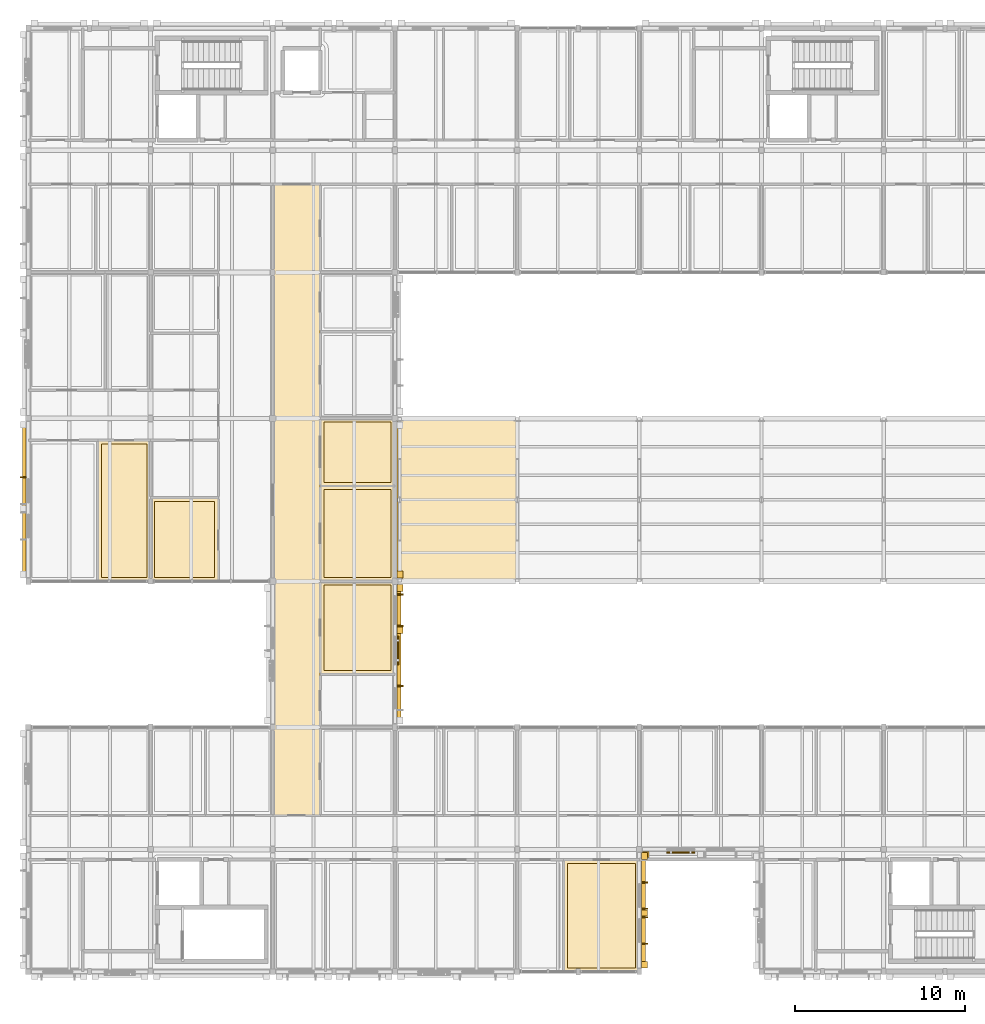
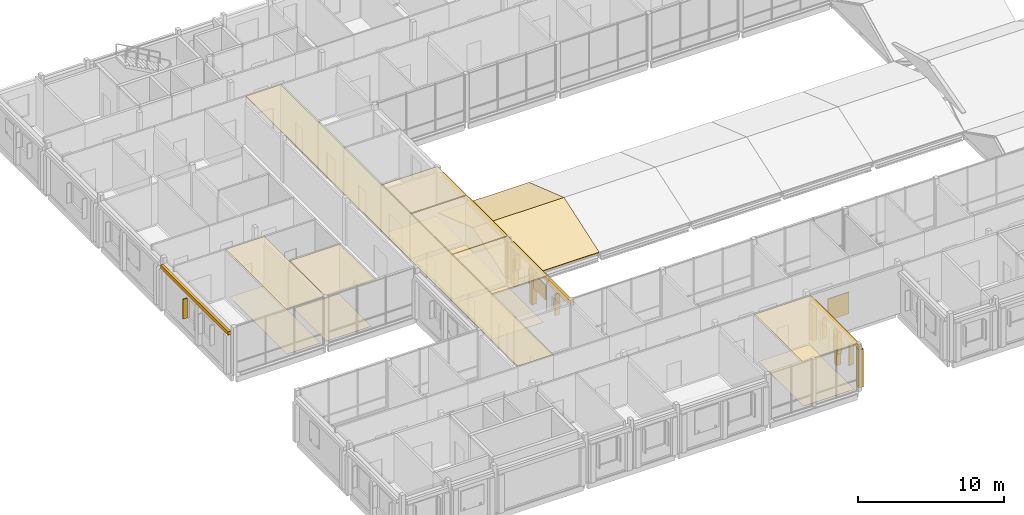
# One storey, part 103 of 115: 26 coverings, 10 shading devices.
"""IFC4 building model written with IfcOpenShell, lengths in metres."""

from ifc_helpers import new_model, si_unit, direction, frame, origin, origin_2d, place, context, subcontext, project, spatial, polyline, rectangle, outline, extrude, material, layer, layer_set, type_object, element, save


model = new_model("IFC4")

# Units and contexts
model_context = context("Model", 3, precision=1e-05, world=origin(), true_north=direction((0.0, 1.0)))
body_context = subcontext(model_context, "Body", "Model", "MODEL_VIEW")
ifc_project = project(units=[si_unit("LENGTHUNIT", "METRE"), si_unit("AREAUNIT", "SQUARE_METRE"), si_unit("VOLUMEUNIT", "CUBIC_METRE"), si_unit("PLANEANGLEUNIT", "RADIAN"), si_unit("MASSUNIT", "GRAM", prefix="KILO")], contexts=[model_context])

# Site, building, storey
site_placement = place(None, origin())
site = spatial("IfcSite", under=ifc_project, at=site_placement, CompositionType="ELEMENT")
building_placement = place(site_placement, origin())
building = spatial("IfcBuilding", under=site, at=building_placement, Name="Hawrajan Terrace Health Centre", CompositionType="ELEMENT")
storey_placement = place(building_placement, frame((0.0, 0.0, 9.0)))
storey = spatial("IfcBuildingStorey", under=building, at=storey_placement, Name="L02", CompositionType="ELEMENT", Elevation=9.0)

# Coverings
ifc_material_1 = material(Name="Precast concrete C40/50", Category="concrete")
ifc_layer_1 = layer(ifc_material_1, 0.219970703125)
ifc_layer_set_1 = layer_set([ifc_layer_1], Name="Precast concrete C40/50")
covering_type_1 = type_object("IfcCoveringType", Name="ArtDecoCorniceBand", PredefinedType="CLADDING", material=ifc_layer_set_1)
covering_1_placement = place(storey_placement, frame((4.35498046875, 32.010009765625, 3.22021484375), z_axis=(0.0, 0.0, 1.0), x_axis=(0.0, 1.0, 0.0)))
element("IfcCovering", 1, at=covering_1_placement, inside=storey, type_object=covering_type_1, Name="Art Deco limestone cornice band CRN-L02-0108", PredefinedType="CLADDING", context=body_context, shape_type="SweptSolid", body=[
    extrude(rectangle(XDim=9.219970703125, YDim=0.219970703125, at=origin_2d()), origin(), (0.0, 0.0, 1.0), 0.300048828125),
])
covering_2_placement = place(storey_placement, frame((26.445068359375, 22.89990234375, 3.18017578125), z_axis=(0.0, 0.0, 1.0), x_axis=(0.0, 1.0, 0.0)))
element("IfcCovering", 2, at=covering_2_placement, inside=storey, type_object=covering_type_1, Name="Art Deco limestone cornice band CRN-L02-0119", PredefinedType="CLADDING", context=body_context, shape_type="SweptSolid", body=[
    extrude(rectangle(XDim=8.199951171875, YDim=0.219970703125, at=origin_2d()), origin(), (0.0, 0.0, 1.0), 0.300048828125),
])
covering_3_placement = place(storey_placement, frame((26.445068359375, 32.0, 3.18017578125), z_axis=(0.0, 0.0, 1.0), x_axis=(0.0, 1.0, 0.0)))
element("IfcCovering", 3, at=covering_3_placement, inside=storey, type_object=covering_type_1, Name="Art Deco limestone cornice band CRN-L02-0120", PredefinedType="CLADDING", context=body_context, shape_type="SweptSolid", body=[
    extrude(rectangle(XDim=9.199951171875, YDim=0.219970703125, at=origin_2d()), origin(), (0.0, 0.0, 1.0), 0.300048828125),
])
covering_4_placement = place(storey_placement, frame((40.844970703125, 7.81005859375, 3.18017578125), z_axis=(0.0, 0.0, 1.0), x_axis=(0.0, 1.0, 0.0)))
element("IfcCovering", 4, at=covering_4_placement, inside=storey, type_object=covering_type_1, Name="Art Deco limestone cornice band CRN-L02-0126", PredefinedType="CLADDING", context=body_context, shape_type="SweptSolid", body=[
    extrude(rectangle(XDim=6.820068359375, YDim=0.219970703125, at=origin_2d()), origin(), (0.0, 0.0, 1.0), 0.300048828125),
])
ifc_layer_2 = layer(ifc_material_1, 0.340087890625)
ifc_layer_set_2 = layer_set([ifc_layer_2], Name="Precast concrete C40/50")
covering_type_2 = type_object("IfcCoveringType", Name="ArtDecoStonePilaster", PredefinedType="CLADDING", material=ifc_layer_set_2)
covering_5_placement = place(storey_placement, frame((26.5048828125, 26.800048828125, 0.0), z_axis=(0.0, 0.0, 1.0), x_axis=(0.0, 1.0, 0.0)))
element("IfcCovering", 5, at=covering_5_placement, inside=storey, type_object=covering_type_2, Name="Art Deco fluted limestone pilaster FPIL-L02-0222", PredefinedType="CLADDING", context=body_context, shape_type="SweptSolid", body=[
    extrude(rectangle(XDim=0.39990234375, YDim=0.340087890625, at=origin_2d()), origin(), (0.0, 0.0, 1.0), 3.169921875),
])
covering_6_placement = place(storey_placement, frame((26.5048828125, 24.315185546875, 0.0), z_axis=(0.0, 0.0, 1.0), x_axis=(0.0, 1.0, 0.0)))
element("IfcCovering", 6, at=covering_6_placement, inside=storey, type_object=covering_type_2, Name="Art Deco mullion pilaster FPIL-L02-0223", PredefinedType="CLADDING", context=body_context, shape_type="SweptSolid", body=[
    extrude(rectangle(XDim=0.360107421875, YDim=0.340087890625, at=origin_2d()), origin(), (0.0, 0.0, 1.0), 3.169921875),
])
for number, where, z_axis, x_axis, name in (
    (7, (26.5048828125, 27.60009765625, 0.0), (0.0, 0.0, 1.0), (0.0, 1.0, 0.0), "Art Deco fluted limestone pilaster FPIL-L02-0224"),
    (8, (40.905029296875, 4.60009765625, 0.0), (0.0, 0.0, 1.0), (0.0, 1.0, 0.0), "Art Deco fluted limestone pilaster FPIL-L02-0237"),
    (9, (40.905029296875, 11.02001953125, 0.0), (0.0, 0.0, 1.0), (0.0, 1.0, 0.0), "Art Deco fluted limestone pilaster FPIL-L02-0238"),
):
    element("IfcCovering", number, at=place(storey_placement, frame(where, z_axis=z_axis, x_axis=x_axis)), inside=storey, type_object=covering_type_2, Name=name, PredefinedType="CLADDING", context=body_context, shape_type="SweptSolid", body=[
        extrude(rectangle(XDim=0.39990234375, YDim=0.340087890625, at=origin_2d()), origin(), (0.0, 0.0, 1.0), 3.169921875),
    ])
covering_7_placement = place(storey_placement, frame((40.905029296875, 7.64990234375, 0.0), z_axis=(0.0, 0.0, 1.0), x_axis=(0.0, 1.0, 0.0)))
element("IfcCovering", 10, at=covering_7_placement, inside=storey, type_object=covering_type_2, Name="Art Deco mullion pilaster FPIL-L02-0239", PredefinedType="CLADDING", context=body_context, shape_type="SweptSolid", body=[
    extrude(rectangle(XDim=0.360107421875, YDim=0.340087890625, at=origin_2d()), origin(), (0.0, 0.0, 1.0), 3.169921875),
])
covering_8_placement = place(storey_placement, frame((40.97998046875, 11.094970703125, 0.0), z_axis=(0.0, 0.0, 1.0), x_axis=(1.0, 0.0, 0.0)))
element("IfcCovering", 11, at=covering_8_placement, inside=storey, type_object=covering_type_2, Name="Art Deco fluted limestone pilaster FPIL-L02-0240", PredefinedType="CLADDING", context=body_context, shape_type="SweptSolid", body=[
    extrude(rectangle(XDim=0.39990234375, YDim=0.340087890625, at=origin_2d()), origin(), (0.0, 0.0, 1.0), 3.169921875),
])
ifc_material_2 = material(Name="Hygienic mineral-fibre acoustic tile ceiling")
ifc_layer_3 = layer(ifc_material_2, 0.02490234375)
ifc_layer_set_3 = layer_set([ifc_layer_3], Name="Hygienic mineral-fibre acoustic tile ceiling")
covering_type_3 = type_object("IfcCoveringType", Name="ClinicalAcousticCeiling_25", PredefinedType="CEILING", material=ifc_layer_set_3)
covering_9_placement = place(storey_placement, frame((0.0, 0.0, 3.93505859375)))
element("IfcCovering", 12, at=covering_9_placement, inside=storey, type_object=covering_type_3, Name="Suspended ceiling L02-038", PredefinedType="CEILING", context=body_context, shape_type="SweptSolid", body=[
    extrude(outline(polyline([(19.02001953125, 50.580078125), (21.780029296875, 50.580078125), (21.780029296875, 13.419921875), (19.02001953125, 13.419921875), (19.02001953125, 50.580078125)])), origin(), (0.0, 0.0, 1.0), 0.02490234375),
])
covering_10_placement = place(storey_placement, frame((0.0, 0.0, 3.93505859375)))
element("IfcCovering", 13, at=covering_10_placement, inside=storey, type_object=covering_type_3, Name="Suspended ceiling L02-046", PredefinedType="CEILING", context=body_context, shape_type="SweptSolid", body=[
    extrude(outline(polyline([(8.709716796875, 35.47998046875), (11.780029296875, 35.47998046875), (11.780029296875, 27.219970703125), (8.709716796875, 27.219970703125), (8.709716796875, 35.47998046875)])), origin(), (0.0, 0.0, 1.0), 0.02490234375),
])
covering_11_placement = place(storey_placement, frame((0.0, 0.0, 3.93505859375)))
element("IfcCovering", 14, at=covering_11_placement, inside=storey, type_object=covering_type_3, Name="Suspended ceiling L02-052", PredefinedType="CEILING", context=body_context, shape_type="SweptSolid", body=[
    extrude(outline(polyline([(11.820068359375, 32.101806640625), (15.780029296875, 32.101806640625), (15.780029296875, 27.219970703125), (11.820068359375, 27.219970703125), (11.820068359375, 32.101806640625)])), origin(), (0.0, 0.0, 1.0), 0.02490234375),
])
covering_12_placement = place(storey_placement, frame((0.0, 0.0, 3.93505859375)))
element("IfcCovering", 15, at=covering_12_placement, inside=storey, type_object=covering_type_3, Name="Suspended ceiling L02-058", PredefinedType="CEILING", context=body_context, shape_type="SweptSolid", body=[
    extrude(outline(polyline([(21.820068359375, 27.179931640625), (26.179931640625, 27.179931640625), (26.179931640625, 21.75048828125), (21.820068359375, 21.75048828125), (21.820068359375, 27.179931640625)])), origin(), (0.0, 0.0, 1.0), 0.02490234375),
])
covering_13_placement = place(storey_placement, frame((0.0, 0.0, 3.93505859375)))
element("IfcCovering", 16, at=covering_13_placement, inside=storey, type_object=covering_type_3, Name="Suspended ceiling L02-059", PredefinedType="CEILING", context=body_context, shape_type="SweptSolid", body=[
    extrude(outline(polyline([(21.820068359375, 32.7958984375), (26.179931640625, 32.7958984375), (26.179931640625, 27.219970703125), (21.820068359375, 27.219970703125), (21.820068359375, 32.7958984375)])), origin(), (0.0, 0.0, 1.0), 0.02490234375),
])
covering_14_placement = place(storey_placement, frame((0.0, 0.0, 3.93505859375)))
element("IfcCovering", 17, at=covering_14_placement, inside=storey, type_object=covering_type_3, Name="Suspended ceiling L02-060", PredefinedType="CEILING", context=body_context, shape_type="SweptSolid", body=[
    extrude(outline(polyline([(21.820068359375, 36.780029296875), (26.179931640625, 36.780029296875), (26.179931640625, 32.8359375), (21.820068359375, 32.8359375), (21.820068359375, 36.780029296875)])), origin(), (0.0, 0.0, 1.0), 0.02490234375),
])
covering_15_placement = place(storey_placement, frame((0.0, 0.0, 3.885009765625)))
element("IfcCovering", 18, at=covering_15_placement, inside=storey, type_object=covering_type_3, Name="Suspended ceiling L02-118", PredefinedType="CEILING", context=body_context, shape_type="SweptSolid", body=[
    extrude(outline(polyline([(36.1630859375, 10.780029296875), (40.580078125, 10.780029296875), (40.580078125, 4.219970703125), (36.1630859375, 4.219970703125), (36.1630859375, 10.780029296875)])), origin(), (0.0, 0.0, 1.0), 0.02490234375),
])
ifc_material_3 = material(Name="Seamless medical-grade cushioned vinyl flooring")
ifc_layer_4 = layer(ifc_material_3, 0.011962890625)
ifc_layer_set_4 = layer_set([ifc_layer_4], Name="Seamless medical-grade cushioned vinyl flooring")
covering_type_4 = type_object("IfcCoveringType", Name="ClinicalVinylFlooring_12", PredefinedType="FLOORING", material=ifc_layer_set_4)
covering_16_placement = place(storey_placement, origin())
element("IfcCovering", 19, at=covering_16_placement, inside=storey, type_object=covering_type_4, Name="Floor finish L02-046", PredefinedType="FLOORING", context=body_context, shape_type="SweptSolid", body=[
    extrude(outline(polyline([(8.90966796875, 35.280029296875), (11.580078125, 35.280029296875), (11.580078125, 27.419921875), (8.90966796875, 27.419921875), (8.90966796875, 35.280029296875)])), origin(), (0.0, 0.0, 1.0), 0.011962890625),
])
covering_17_placement = place(storey_placement, origin())
element("IfcCovering", 20, at=covering_17_placement, inside=storey, type_object=covering_type_4, Name="Floor finish L02-052", PredefinedType="FLOORING", context=body_context, shape_type="SweptSolid", body=[
    extrude(outline(polyline([(12.02001953125, 31.90185546875), (15.580078125, 31.90185546875), (15.580078125, 27.419921875), (12.02001953125, 27.419921875), (12.02001953125, 31.90185546875)])), origin(), (0.0, 0.0, 1.0), 0.011962890625),
])
covering_18_placement = place(storey_placement, origin())
element("IfcCovering", 21, at=covering_18_placement, inside=storey, type_object=covering_type_4, Name="Floor finish L02-058", PredefinedType="FLOORING", context=body_context, shape_type="SweptSolid", body=[
    extrude(outline(polyline([(22.02001953125, 26.97998046875), (25.97998046875, 26.97998046875), (25.97998046875, 21.950439453125), (22.02001953125, 21.950439453125), (22.02001953125, 26.97998046875)])), origin(), (0.0, 0.0, 1.0), 0.011962890625),
])
covering_19_placement = place(storey_placement, origin())
element("IfcCovering", 22, at=covering_19_placement, inside=storey, type_object=covering_type_4, Name="Floor finish L02-059", PredefinedType="FLOORING", context=body_context, shape_type="SweptSolid", body=[
    extrude(outline(polyline([(22.02001953125, 32.595947265625), (25.97998046875, 32.595947265625), (25.97998046875, 27.419921875), (22.02001953125, 27.419921875), (22.02001953125, 32.595947265625)])), origin(), (0.0, 0.0, 1.0), 0.011962890625),
])
covering_20_placement = place(storey_placement, origin())
element("IfcCovering", 23, at=covering_20_placement, inside=storey, type_object=covering_type_4, Name="Floor finish L02-060", PredefinedType="FLOORING", context=body_context, shape_type="SweptSolid", body=[
    extrude(outline(polyline([(22.02001953125, 36.580078125), (25.97998046875, 36.580078125), (25.97998046875, 33.035888671875), (22.02001953125, 33.035888671875), (22.02001953125, 36.580078125)])), origin(), (0.0, 0.0, 1.0), 0.011962890625),
])
covering_21_placement = place(storey_placement, origin())
element("IfcCovering", 24, at=covering_21_placement, inside=storey, type_object=covering_type_4, Name="Floor finish L02-118", PredefinedType="FLOORING", context=body_context, shape_type="SweptSolid", body=[
    extrude(outline(polyline([(36.36328125, 10.580078125), (40.3798828125, 10.580078125), (40.3798828125, 4.419921875), (36.36328125, 4.419921875), (36.36328125, 10.580078125)])), origin(), (0.0, 0.0, 1.0), 0.011962890625),
])

# Shading devices
ifc_material_4 = material(Name="Anodized bronze mashrabiya vertical solar fin")
ifc_layer_5 = layer(ifc_material_4, 0.080078125)
ifc_layer_set_5 = layer_set([ifc_layer_5], Name="Anodized bronze mashrabiya vertical solar fin")
shading_device_type_1 = type_object("IfcShadingDeviceType", Name="MashrabiyaVerticalFin", PredefinedType="USERDEFINED", material=ifc_layer_set_5)
shading_device_1_placement = place(storey_placement, frame((4.284912109375, 33.330078125, 1.050048828125), z_axis=(0.0, 0.0, 1.0), x_axis=(0.0, 1.0, 0.0)))
element("IfcShadingDevice", 25, at=shading_device_1_placement, inside=storey, type_object=shading_device_type_1, Name="Bronze mashrabiya solar fin FIN-L02-0138", ObjectType="SOLAR_FIN", PredefinedType="USERDEFINED", context=body_context, shape_type="SweptSolid", body=[
    extrude(rectangle(XDim=0.080078125, YDim=0.360107421875, at=origin_2d()), origin(), (0.0, 0.0, 1.0), 1.64990234375),
])
shading_device_2_placement = place(storey_placement, frame((26.514892578125, 21.025146484375, 1.0), z_axis=(0.0, 0.0, 1.0), x_axis=(0.0, 1.0, 0.0)))
element("IfcShadingDevice", 26, at=shading_device_2_placement, inside=storey, type_object=shading_device_type_1, Name="Bronze mashrabiya solar fin FIN-L02-0155", ObjectType="SOLAR_FIN", PredefinedType="USERDEFINED", context=body_context, shape_type="SweptSolid", body=[
    extrude(rectangle(XDim=0.080078125, YDim=0.360107421875, at=origin_2d()), origin(), (0.0, 0.0, 1.0), 1.800048828125),
])
for number, where, z_axis, x_axis, name in (
    (27, (26.514892578125, 24.565185546875, 1.5), (0.0, 0.0, 1.0), (0.0, 1.0, 0.0), "Bronze mashrabiya solar fin FIN-L02-0157"),
    (28, (26.514892578125, 26.42529296875, 1.5), (0.0, 0.0, 1.0), (0.0, 1.0, 0.0), "Bronze mashrabiya solar fin FIN-L02-0158"),
):
    element("IfcShadingDevice", number, at=place(storey_placement, frame(where, z_axis=z_axis, x_axis=x_axis)), inside=storey, type_object=shading_device_type_1, Name=name, ObjectType="SOLAR_FIN", PredefinedType="USERDEFINED", context=body_context, shape_type="SweptSolid", body=[
        extrude(rectangle(XDim=0.080078125, YDim=0.360107421875, at=origin_2d()), origin(), (0.0, 0.0, 1.0), 1.25),
    ])
for number, where, z_axis, x_axis, name in (
    (29, (40.9150390625, 5.840087890625, 1.0), (0.0, 0.0, 1.0), (0.0, 1.0, 0.0), "Bronze mashrabiya solar fin FIN-L02-0165"),
    (30, (40.9150390625, 7.39990234375, 1.0), (0.0, 0.0, 1.0), (0.0, 1.0, 0.0), "Bronze mashrabiya solar fin FIN-L02-0166"),
    (31, (40.9150390625, 7.89990234375, 1.0), (0.0, 0.0, 1.0), (0.0, 1.0, 0.0), "Bronze mashrabiya solar fin FIN-L02-0167"),
    (32, (40.9150390625, 9.4599609375, 1.0), (0.0, 0.0, 1.0), (0.0, 1.0, 0.0), "Bronze mashrabiya solar fin FIN-L02-0168"),
):
    element("IfcShadingDevice", number, at=place(storey_placement, frame(where, z_axis=z_axis, x_axis=x_axis)), inside=storey, type_object=shading_device_type_1, Name=name, ObjectType="SOLAR_FIN", PredefinedType="USERDEFINED", context=body_context, shape_type="SweptSolid", body=[
        extrude(rectangle(XDim=0.080078125, YDim=0.360107421875, at=origin_2d()), origin(), (0.0, 0.0, 1.0), 1.800048828125),
    ])
ifc_material_5 = material(Name="Anodized bronze and cedar roshan lattice")
ifc_layer_6 = layer(ifc_material_5, 0.080078125)
ifc_layer_set_6 = layer_set([ifc_layer_6], Name="Anodized bronze and cedar roshan lattice")
shading_device_type_2 = type_object("IfcShadingDeviceType", Name="RoshanScreen_BronzeCedar", PredefinedType="JALOUSIE", material=ifc_layer_set_6)
shading_device_3_placement = place(storey_placement, frame((26.3798828125, 23.13525390625, 1.5), z_axis=(0.0, 0.0, 1.0), x_axis=(0.0, 1.0, 0.0)))
element("IfcShadingDevice", 33, at=shading_device_3_placement, inside=storey, type_object=shading_device_type_2, Name="Hijazi roshan solar screen RSH-L02-156", PredefinedType="JALOUSIE", context=body_context, shape_type="SweptSolid", body=[
    extrude(rectangle(XDim=1.679931640625, YDim=0.080078125, at=origin_2d()), origin(), (0.0, 0.0, 1.0), 1.25),
])
shading_device_4_placement = place(storey_placement, frame((43.0400390625, 11.219970703125, 1.0), z_axis=(0.0, 0.0, 1.0), x_axis=(1.0, 0.0, 0.0)))
element("IfcShadingDevice", 34, at=shading_device_4_placement, inside=storey, type_object=shading_device_type_2, Name="Hijazi roshan solar screen RSH-L02-169", PredefinedType="JALOUSIE", context=body_context, shape_type="SweptSolid", body=[
    extrude(rectangle(XDim=1.659912109375, YDim=0.080078125, at=origin_2d()), origin(), (0.0, 0.0, 1.0), 1.800048828125),
])

# Coverings
ifc_material_6 = material(Name="Standing-seam zinc roofing and PIR insulation")
ifc_layer_7 = layer(ifc_material_6, 0.0849609375)
ifc_layer_set_7 = layer_set([ifc_layer_7], Name="Standing-seam zinc roofing and PIR insulation")
covering_type_5 = type_object("IfcCoveringType", Name="StandingSeamZinc_Roofing", PredefinedType="ROOFING", material=ifc_layer_set_7)
for number, where, z_axis, x_axis, name in (
    (35, (26.219970703125, 27.199951171875, 0.0849609375), (0.0, -0.325102620796, 0.945678743523), (1.0, 0.0, 0.0), "Standing-seam zinc roof RF-V1-04-TRS-S"),
    (36, (26.219970703125, 32.0, 1.735107421875), (0.0, 0.325102620796, 0.945678743523), (1.0, 0.0, 0.0), "Standing-seam zinc roof RF-V1-04-TRS-N"),
):
    element("IfcCovering", number, at=place(storey_placement, frame(where, z_axis=z_axis, x_axis=x_axis)), inside=storey, type_object=covering_type_5, Name=name, PredefinedType="ROOFING", context=body_context, shape_type="SweptSolid", body=[
        extrude(outline(polyline([(0.0, 0.0), (7.179931640625, 0.0), (7.179931640625, 5.07577109139876), (0.0, 5.07577109139876), (0.0, 0.0)])), origin(), (0.0, 0.0, -1.0), 0.0849609375),
    ])

save(model, "model.ifc")
